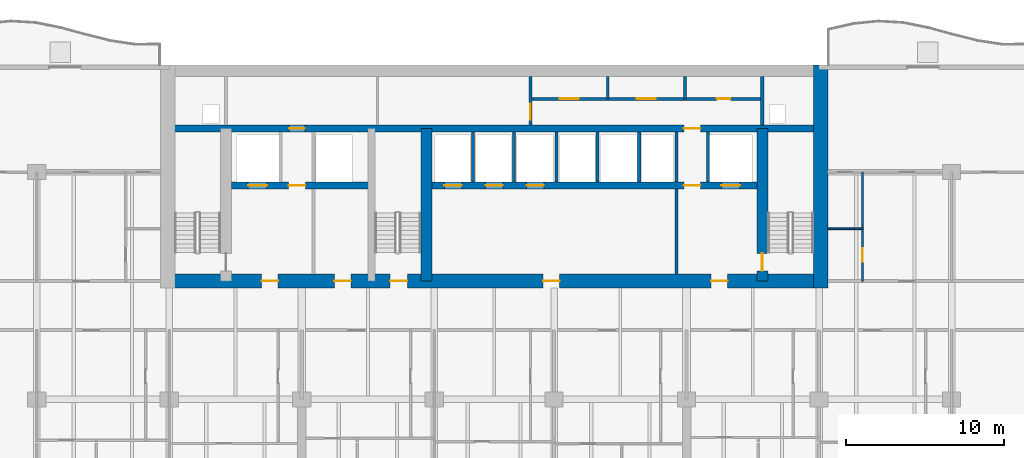
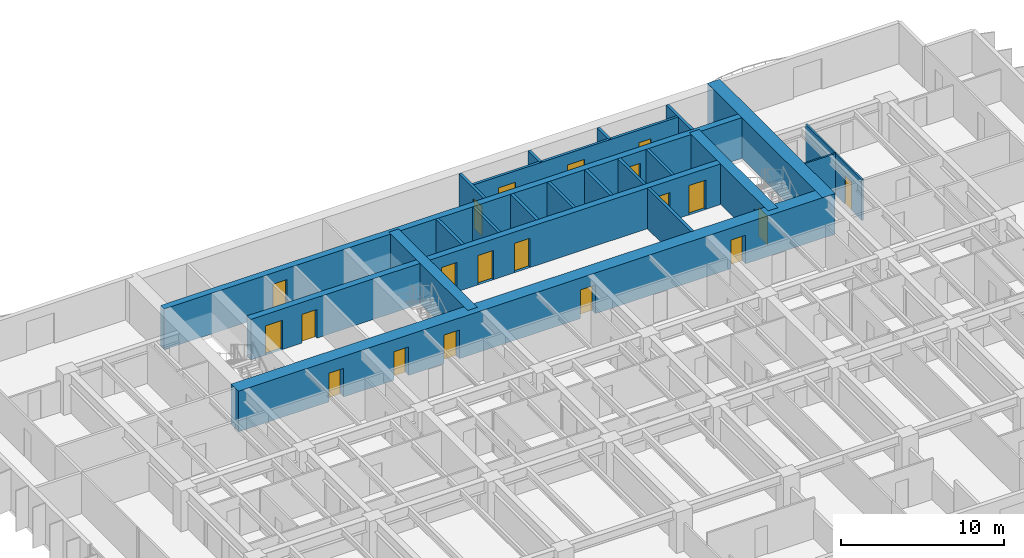
# One storey, part 11 of 18: 21 walls, 20 doors, 20 openings.
"""IFC4 building model written with IfcOpenShell, lengths in metres."""

from ifc_helpers import new_model, si_unit, direction, frame, frame_2d, origin, place, context, subcontext, project, spatial, rectangle, extrude, material, layer, layer_set, type_object, element, fill, save


model = new_model("IFC4")

# Units and contexts
model_context = context("Model", 3, precision=1e-05, world=origin(), true_north=direction((0.0, 1.0)))
body_context = subcontext(model_context, "Body", "Model", "MODEL_VIEW")
ifc_project = project(units=[si_unit("LENGTHUNIT", "METRE"), si_unit("AREAUNIT", "SQUARE_METRE"), si_unit("VOLUMEUNIT", "CUBIC_METRE"), si_unit("PLANEANGLEUNIT", "RADIAN"), si_unit("MASSUNIT", "GRAM", prefix="KILO")], contexts=[model_context])

# Site, building, storey
site_placement = place(None, origin())
site = spatial("IfcSite", under=ifc_project, at=site_placement, CompositionType="ELEMENT")
building_placement = place(site_placement, origin())
building = spatial("IfcBuilding", under=site, at=building_placement, Name="Caelmar Bay Residences", CompositionType="ELEMENT")
storey_placement = place(building_placement, frame((0.0, 0.0, 56.39990234375)))
storey = spatial("IfcBuildingStorey", under=building, at=storey_placement, Name="L14", CompositionType="ELEMENT", Elevation=56.39990234375)

# Wall, opening, door
ifc_material_1 = material(Name="Concrete f'c 55 MPa (8,000 psi)", Category="concrete")
ifc_layer_1 = layer(ifc_material_1, 0.699951171875)
ifc_layer_set_1 = layer_set([ifc_layer_1], Name="Concrete f'c 55 MPa (8,000 psi)")
wall_type_1 = type_object("IfcWallType", Name="SW-COR-700", PredefinedType="SHEAR", material=ifc_layer_set_1)
wall_1_placement = place(storey_placement, frame((55.89990234375, 36.89990234375, 0.0), z_axis=(0.0, 0.0, 1.0), x_axis=(0.0, 1.0, 0.0)))
wall_1 = element("IfcWall", 1, at=wall_1_placement, inside=storey, type_object=wall_type_1, Name="L14 Core Structural Web Wall ST2W", PredefinedType="SHEAR", context=body_context, shape_type="SweptSolid", body=[
    extrude(rectangle(XDim=9.675048828125, YDim=0.699951171875, at=frame_2d((4.83740234375, 0.0))), origin(), (0.0, 0.0, 1.0), 3.050048828125),
])
opening_1_placement = place(wall_1_placement, frame((0.64990234375, 0.0, 0.0)))
opening_1 = element("IfcOpeningElement", 2, at=opening_1_placement, cuts=wall_1, Name="Opening D-L14-111", PredefinedType="OPENING", context=body_context, shape_type="SweptSolid", body=[
    extrude(rectangle(XDim=1.10009765625, YDim=2.14990234375, at=frame_2d((0.550048828125, 1.074951171875))), frame((0.0, 0.35986328125, 0.0), z_axis=(0.0, -1.0, 0.0), x_axis=(1.0, 0.0, 0.0)), (0.0, 0.0, 1.0), 0.719970703125),
])
ifc_material_2 = material(Name="Fire-rated steel and walnut architectural door assembly", Category="steel")
ifc_layer_2 = layer(ifc_material_2, 0.050048828125)
ifc_layer_set_2 = layer_set([ifc_layer_2], Name="Fire-rated steel and walnut architectural door assembly")
door_type_1 = type_object("IfcDoorType", Name="D-STAIR-1100", OperationType="NOTDEFINED", PredefinedType="DOOR", material=ifc_layer_set_2)
door_1_placement = place(opening_1_placement, origin())
door_1 = element("IfcDoor", 3, at=door_1_placement, inside=storey, type_object=door_type_1, Name="L14 Firefighting Lobby East Door", OperationType="SINGLE_SWING_RIGHT", OverallHeight=2.14990234375, OverallWidth=1.10009765625, PredefinedType="DOOR", context=body_context, shape_type="SweptSolid", body=[
    extrude(rectangle(XDim=1.10009765625, YDim=2.14990234375, at=frame_2d((0.550048828125, 1.074951171875))), frame((0.0, 0.02490234375, 0.0), z_axis=(0.0, -1.0, 0.0), x_axis=(1.0, 0.0, 0.0)), (0.0, 0.0, 1.0), 0.050048828125),
])
fill(opening_1, door_1)

# Wall
wall_2_placement = place(storey_placement, frame((34.60009765625, 36.89990234375, 0.0), z_axis=(0.0, 0.0, 1.0), x_axis=(0.0, 1.0, 0.0)))
element("IfcWall", 4, at=wall_2_placement, inside=storey, type_object=wall_type_1, Name="L14 Core Structural Web Wall ST3E", PredefinedType="SHEAR", context=body_context, shape_type="SweptSolid", body=[
    extrude(rectangle(XDim=9.675048828125, YDim=0.699951171875, at=frame_2d((4.83740234375, 0.0))), origin(), (0.0, 0.0, 1.0), 3.050048828125),
])

# Wall, openings, doors
ifc_material_3 = material(Name="Concrete f'c 70 MPa (10,000 psi)", Category="concrete")
ifc_layer_3 = layer(ifc_material_3, 0.89990234375)
ifc_layer_set_3 = layer_set([ifc_layer_3], Name="Concrete f'c 70 MPa (10,000 psi)")
wall_type_2 = type_object("IfcWallType", Name="SW-COR-900", PredefinedType="SHEAR", material=ifc_layer_set_3)
wall_3_placement = place(storey_placement, frame((17.75, 36.89990234375, 0.0), z_axis=(0.0, 0.0, 1.0), x_axis=(1.0, 0.0, 0.0)))
wall_3 = element("IfcWall", 5, at=wall_3_placement, inside=storey, type_object=wall_type_2, Name="L14 Rear Core South Shear Wall", PredefinedType="SHEAR", context=body_context, shape_type="SweptSolid", body=[
    extrude(rectangle(XDim=42.300048828125, YDim=0.89990234375, at=frame_2d((21.14990234375, 0.0))), origin(), (0.0, 0.0, 1.0), 3.050048828125),
])
opening_2_placement = place(wall_3_placement, frame((14.550048828125, 0.0, 0.0)))
opening_2 = element("IfcOpeningElement", 6, at=opening_2_placement, cuts=wall_3, Name="Opening D-L14-106", PredefinedType="OPENING", context=body_context, shape_type="SweptSolid", body=[
    extrude(rectangle(XDim=1.10009765625, YDim=2.14990234375, at=frame_2d((0.550048828125, 1.074951171875))), frame((0.0, 0.4599609375, 0.0), z_axis=(0.0, -1.0, 0.0), x_axis=(1.0, 0.0, 0.0)), (0.0, 0.0, 1.0), 0.919921875),
])
opening_3_placement = place(wall_3_placement, frame((6.39990234375, 0.0, 0.0)))
opening_3 = element("IfcOpeningElement", 7, at=opening_3_placement, cuts=wall_3, Name="Opening D-L14-107", PredefinedType="OPENING", context=body_context, shape_type="SweptSolid", body=[
    extrude(rectangle(XDim=1.050048828125, YDim=2.14990234375, at=frame_2d((0.52490234375, 1.074951171875))), frame((0.0, 0.4599609375, 0.0), z_axis=(0.0, -1.0, 0.0), x_axis=(1.0, 0.0, 0.0)), (0.0, 0.0, 1.0), 0.919921875),
])
opening_4_placement = place(wall_3_placement, frame((34.89990234375, 0.0, 0.0)))
opening_4 = element("IfcOpeningElement", 8, at=opening_4_placement, cuts=wall_3, Name="Opening D-L14-110", PredefinedType="OPENING", context=body_context, shape_type="SweptSolid", body=[
    extrude(rectangle(XDim=1.050048828125, YDim=2.14990234375, at=frame_2d((0.52490234375, 1.074951171875))), frame((0.0, 0.4599609375, 0.0), z_axis=(0.0, -1.0, 0.0), x_axis=(1.0, 0.0, 0.0)), (0.0, 0.0, 1.0), 0.919921875),
])
opening_5_placement = place(wall_3_placement, frame((11.012451171875, 0.0, 0.0)))
opening_5 = element("IfcOpeningElement", 9, at=opening_5_placement, cuts=wall_3, Name="Opening D-L14-113", PredefinedType="OPENING", context=body_context, shape_type="SweptSolid", body=[
    extrude(rectangle(XDim=1.050048828125, YDim=2.14990234375, at=frame_2d((0.52490234375, 1.074951171875))), frame((0.0, 0.4599609375, 0.0), z_axis=(0.0, -1.0, 0.0), x_axis=(1.0, 0.0, 0.0)), (0.0, 0.0, 1.0), 0.919921875),
])
opening_6_placement = place(wall_3_placement, frame((24.25, 0.0, 0.0)))
opening_6 = element("IfcOpeningElement", 10, at=opening_6_placement, cuts=wall_3, Name="Opening D-L14-114", PredefinedType="OPENING", context=body_context, shape_type="SweptSolid", body=[
    extrude(rectangle(XDim=1.050048828125, YDim=2.14990234375, at=frame_2d((0.52490234375, 1.074951171875))), frame((0.0, 0.4599609375, 0.0), z_axis=(0.0, -1.0, 0.0), x_axis=(1.0, 0.0, 0.0)), (0.0, 0.0, 1.0), 0.919921875),
])
ifc_layer_4 = layer(ifc_material_2, 0.050048828125)
ifc_layer_set_4 = layer_set([ifc_layer_4], Name="Fire-rated steel and walnut architectural door assembly")
door_type_2 = type_object("IfcDoorType", Name="D-FSAE-1050", OperationType="NOTDEFINED", PredefinedType="DOOR", material=ifc_layer_set_4)
door_2_placement = place(opening_3_placement, origin())
door_2 = element("IfcDoor", 11, at=door_2_placement, inside=storey, type_object=door_type_2, Name="L14 Firefighting Lobby West Door", OperationType="SINGLE_SWING_RIGHT", OverallHeight=2.14990234375, OverallWidth=1.050048828125, PredefinedType="DOOR", context=body_context, shape_type="SweptSolid", body=[
    extrude(rectangle(XDim=1.050048828125, YDim=2.14990234375, at=frame_2d((0.52490234375, 1.074951171875))), frame((0.0, 0.02490234375, 0.0), z_axis=(0.0, -1.0, 0.0), x_axis=(1.0, 0.0, 0.0)), (0.0, 0.0, 1.0), 0.050048828125),
])
fill(opening_3, door_2)
door_3_placement = place(opening_4_placement, origin())
door_3 = element("IfcDoor", 12, at=door_3_placement, inside=storey, type_object=door_type_2, Name="L14 Firefighting Lobby East Door", OperationType="SINGLE_SWING_LEFT", OverallHeight=2.14990234375, OverallWidth=1.050048828125, PredefinedType="DOOR", context=body_context, shape_type="SweptSolid", body=[
    extrude(rectangle(XDim=1.050048828125, YDim=2.14990234375, at=frame_2d((0.52490234375, 1.074951171875))), frame((0.0, 0.02490234375, 0.0), z_axis=(0.0, -1.0, 0.0), x_axis=(1.0, 0.0, 0.0)), (0.0, 0.0, 1.0), 0.050048828125),
])
fill(opening_4, door_3)
door_4_placement = place(opening_5_placement, origin())
door_4 = element("IfcDoor", 13, at=door_4_placement, inside=storey, type_object=door_type_2, Name="L14 West Lift Lobby Door", OperationType="SINGLE_SWING_RIGHT", OverallHeight=2.14990234375, OverallWidth=1.050048828125, PredefinedType="DOOR", context=body_context, shape_type="SweptSolid", body=[
    extrude(rectangle(XDim=1.050048828125, YDim=2.14990234375, at=frame_2d((0.52490234375, 1.074951171875))), frame((0.0, 0.02490234375, 0.0), z_axis=(0.0, -1.0, 0.0), x_axis=(1.0, 0.0, 0.0)), (0.0, 0.0, 1.0), 0.050048828125),
])
fill(opening_5, door_4)
door_5_placement = place(opening_6_placement, origin())
door_5 = element("IfcDoor", 14, at=door_5_placement, inside=storey, type_object=door_type_2, Name="L14 Passenger Lift Lobby Door", OperationType="SINGLE_SWING_LEFT", OverallHeight=2.14990234375, OverallWidth=1.050048828125, PredefinedType="DOOR", context=body_context, shape_type="SweptSolid", body=[
    extrude(rectangle(XDim=1.050048828125, YDim=2.14990234375, at=frame_2d((0.52490234375, 1.074951171875))), frame((0.0, 0.02490234375, 0.0), z_axis=(0.0, -1.0, 0.0), x_axis=(1.0, 0.0, 0.0)), (0.0, 0.0, 1.0), 0.050048828125),
])
fill(opening_6, door_5)
door_6_placement = place(opening_2_placement, origin())
door_6 = element("IfcDoor", 15, at=door_6_placement, inside=storey, type_object=door_type_1, Name="L14 Exit Stair ST3 Door", OperationType="SINGLE_SWING_LEFT", OverallHeight=2.14990234375, OverallWidth=1.10009765625, PredefinedType="DOOR", context=body_context, shape_type="SweptSolid", body=[
    extrude(rectangle(XDim=1.10009765625, YDim=2.14990234375, at=frame_2d((0.550048828125, 1.074951171875))), frame((0.0, 0.02490234375, 0.0), z_axis=(0.0, -1.0, 0.0), x_axis=(1.0, 0.0, 0.0)), (0.0, 0.0, 1.0), 0.050048828125),
])
fill(opening_2, door_6)

# Wall
wall_4_placement = place(storey_placement, frame((59.60009765625, 36.449951171875, 0.0), z_axis=(0.0, 0.0, 1.0), x_axis=(0.0, 1.0, 0.0)))
element("IfcWall", 16, at=wall_4_placement, inside=storey, type_object=wall_type_2, Name="L14 Rear Core East Shear Wall", PredefinedType="SHEAR", context=body_context, shape_type="SweptSolid", body=[
    extrude(rectangle(XDim=14.150146484375, YDim=0.89990234375, at=frame_2d((7.0751953125, 0.0))), origin(), (0.0, 0.0, 1.0), 3.050048828125),
])

# Wall, openings, doors
ifc_layer_5 = layer(ifc_material_3, 0.449951171875)
ifc_layer_set_5 = layer_set([ifc_layer_5], Name="Concrete f'c 70 MPa (10,000 psi)")
wall_type_3 = type_object("IfcWallType", Name="SW-WEB-450", PredefinedType="SHEAR", material=ifc_layer_set_5)
wall_5_placement = place(storey_placement, frame((22.25, 42.949951171875, 0.0), z_axis=(0.0, 0.0, 1.0), x_axis=(1.0, 0.0, 0.0)))
wall_5 = element("IfcWall", 17, at=wall_5_placement, inside=storey, type_object=wall_type_3, Name="L14 Core Structural Web Wall LFR", PredefinedType="SHEAR", context=body_context, shape_type="SweptSolid", body=[
    extrude(rectangle(XDim=33.300048828125, YDim=0.449951171875, at=frame_2d((16.64990234375, 0.0))), origin(), (0.0, 0.0, 1.0), 3.050048828125),
])
opening_7_placement = place(wall_5_placement, frame((1.050048828125, 0.0, 0.0)))
opening_7 = element("IfcOpeningElement", 18, at=opening_7_placement, cuts=wall_5, Name="Opening LD2", PredefinedType="OPENING", context=body_context, shape_type="SweptSolid", body=[
    extrude(rectangle(XDim=1.199951171875, YDim=2.199951171875, at=frame_2d((0.60009765625, 1.10009765625))), frame((0.0, 0.23486328125, 0.0), z_axis=(0.0, -1.0, 0.0), x_axis=(1.0, 0.0, 0.0)), (0.0, 0.0, 1.0), 0.469970703125),
])
opening_8_placement = place(wall_5_placement, frame((31.050048828125, 0.0, 0.0)))
opening_8 = element("IfcOpeningElement", 19, at=opening_8_placement, cuts=wall_5, Name="Opening LD2", PredefinedType="OPENING", context=body_context, shape_type="SweptSolid", body=[
    extrude(rectangle(XDim=1.199951171875, YDim=2.199951171875, at=frame_2d((0.60009765625, 1.10009765625))), frame((0.0, 0.23486328125, 0.0), z_axis=(0.0, -1.0, 0.0), x_axis=(1.0, 0.0, 0.0)), (0.0, 0.0, 1.0), 0.469970703125),
])
opening_9_placement = place(wall_5_placement, frame((13.5, 0.0, 0.0)))
opening_9 = element("IfcOpeningElement", 20, at=opening_9_placement, cuts=wall_5, Name="Opening LD1", PredefinedType="OPENING", context=body_context, shape_type="SweptSolid", body=[
    extrude(rectangle(XDim=1.10009765625, YDim=2.199951171875, at=frame_2d((0.550048828125, 1.10009765625))), frame((0.0, 0.23486328125, 0.0), z_axis=(0.0, -1.0, 0.0), x_axis=(1.0, 0.0, 0.0)), (0.0, 0.0, 1.0), 0.469970703125),
])
opening_10_placement = place(wall_5_placement, frame((16.10009765625, 0.0, 0.0)))
opening_10 = element("IfcOpeningElement", 21, at=opening_10_placement, cuts=wall_5, Name="Opening LD1", PredefinedType="OPENING", context=body_context, shape_type="SweptSolid", body=[
    extrude(rectangle(XDim=1.10009765625, YDim=2.199951171875, at=frame_2d((0.550048828125, 1.10009765625))), frame((0.0, 0.23486328125, 0.0), z_axis=(0.0, -1.0, 0.0), x_axis=(1.0, 0.0, 0.0)), (0.0, 0.0, 1.0), 0.469970703125),
])
opening_11_placement = place(wall_5_placement, frame((18.699951171875, 0.0, 0.0)))
opening_11 = element("IfcOpeningElement", 22, at=opening_11_placement, cuts=wall_5, Name="Opening LD1", PredefinedType="OPENING", context=body_context, shape_type="SweptSolid", body=[
    extrude(rectangle(XDim=1.10009765625, YDim=2.199951171875, at=frame_2d((0.550048828125, 1.10009765625))), frame((0.0, 0.23486328125, 0.0), z_axis=(0.0, -1.0, 0.0), x_axis=(1.0, 0.0, 0.0)), (0.0, 0.0, 1.0), 0.469970703125),
])
opening_12_placement = place(wall_5_placement, frame((3.625, 0.0, 0.0)))
opening_12 = element("IfcOpeningElement", 23, at=opening_12_placement, cuts=wall_5, Name="Opening D-L14-109", PredefinedType="OPENING", context=body_context, shape_type="SweptSolid", body=[
    extrude(rectangle(XDim=1.050048828125, YDim=2.14990234375, at=frame_2d((0.52490234375, 1.074951171875))), frame((0.0, 0.23486328125, 0.0), z_axis=(0.0, -1.0, 0.0), x_axis=(1.0, 0.0, 0.0)), (0.0, 0.0, 1.0), 0.469970703125),
])
opening_13_placement = place(wall_5_placement, frame((28.675048828125, 0.0, 0.0)))
opening_13 = element("IfcOpeningElement", 24, at=opening_13_placement, cuts=wall_5, Name="Opening D-L14-112", PredefinedType="OPENING", context=body_context, shape_type="SweptSolid", body=[
    extrude(rectangle(XDim=1.050048828125, YDim=2.14990234375, at=frame_2d((0.52490234375, 1.074951171875))), frame((0.0, 0.23486328125, 0.0), z_axis=(0.0, -1.0, 0.0), x_axis=(1.0, 0.0, 0.0)), (0.0, 0.0, 1.0), 0.469970703125),
])
door_7_placement = place(opening_12_placement, origin())
door_7 = element("IfcDoor", 25, at=door_7_placement, inside=storey, type_object=door_type_2, Name="L14 Firefighting Lobby West Door", OperationType="SINGLE_SWING_RIGHT", OverallHeight=2.14990234375, OverallWidth=1.050048828125, PredefinedType="DOOR", context=body_context, shape_type="SweptSolid", body=[
    extrude(rectangle(XDim=1.050048828125, YDim=2.14990234375, at=frame_2d((0.52490234375, 1.074951171875))), frame((0.0, 0.02490234375, 0.0), z_axis=(0.0, -1.0, 0.0), x_axis=(1.0, 0.0, 0.0)), (0.0, 0.0, 1.0), 0.050048828125),
])
fill(opening_12, door_7)
door_8_placement = place(opening_13_placement, origin())
door_8 = element("IfcDoor", 26, at=door_8_placement, inside=storey, type_object=door_type_2, Name="L14 Firefighting Lobby East Door", OperationType="SINGLE_SWING_LEFT", OverallHeight=2.14990234375, OverallWidth=1.050048828125, PredefinedType="DOOR", context=body_context, shape_type="SweptSolid", body=[
    extrude(rectangle(XDim=1.050048828125, YDim=2.14990234375, at=frame_2d((0.52490234375, 1.074951171875))), frame((0.0, 0.02490234375, 0.0), z_axis=(0.0, -1.0, 0.0), x_axis=(1.0, 0.0, 0.0)), (0.0, 0.0, 1.0), 0.050048828125),
])
fill(opening_13, door_8)
ifc_material_4 = material(Name="Brushed bronze stainless-steel fire-rated lift landing doors", Category="steel")
ifc_layer_6 = layer(ifc_material_4, 0.050048828125)
ifc_layer_set_6 = layer_set([ifc_layer_6], Name="Brushed bronze stainless-steel fire-rated lift landing doors")
door_type_3 = type_object("IfcDoorType", Name="D-LND-1100", OperationType="DOUBLE_DOOR_SLIDING", PredefinedType="DOOR", material=ifc_layer_set_6)
door_9_placement = place(opening_9_placement, origin())
door_9 = element("IfcDoor", 27, at=door_9_placement, inside=storey, type_object=door_type_3, Name="L14 LP1 Sliding Landing Door", OperationType="DOUBLE_DOOR_SLIDING", OverallHeight=2.199951171875, OverallWidth=1.10009765625, PredefinedType="DOOR", context=body_context, shape_type="SweptSolid", body=[
    extrude(rectangle(XDim=1.10009765625, YDim=2.199951171875, at=frame_2d((0.550048828125, 1.10009765625))), frame((0.0, 0.02490234375, 0.0), z_axis=(0.0, -1.0, 0.0), x_axis=(1.0, 0.0, 0.0)), (0.0, 0.0, 1.0), 0.050048828125),
])
fill(opening_9, door_9)
door_10_placement = place(opening_10_placement, origin())
door_10 = element("IfcDoor", 28, at=door_10_placement, inside=storey, type_object=door_type_3, Name="L14 LP2 Sliding Landing Door", OperationType="DOUBLE_DOOR_SLIDING", OverallHeight=2.199951171875, OverallWidth=1.10009765625, PredefinedType="DOOR", context=body_context, shape_type="SweptSolid", body=[
    extrude(rectangle(XDim=1.10009765625, YDim=2.199951171875, at=frame_2d((0.550048828125, 1.10009765625))), frame((0.0, 0.02490234375, 0.0), z_axis=(0.0, -1.0, 0.0), x_axis=(1.0, 0.0, 0.0)), (0.0, 0.0, 1.0), 0.050048828125),
])
fill(opening_10, door_10)
door_11_placement = place(opening_11_placement, origin())
door_11 = element("IfcDoor", 29, at=door_11_placement, inside=storey, type_object=door_type_3, Name="L14 LP3 Sliding Landing Door", OperationType="DOUBLE_DOOR_SLIDING", OverallHeight=2.199951171875, OverallWidth=1.10009765625, PredefinedType="DOOR", context=body_context, shape_type="SweptSolid", body=[
    extrude(rectangle(XDim=1.10009765625, YDim=2.199951171875, at=frame_2d((0.550048828125, 1.10009765625))), frame((0.0, 0.02490234375, 0.0), z_axis=(0.0, -1.0, 0.0), x_axis=(1.0, 0.0, 0.0)), (0.0, 0.0, 1.0), 0.050048828125),
])
fill(opening_11, door_11)
ifc_material_5 = material(Name="Brushed stainless-steel FSAE sliding landing door", Category="steel")
ifc_layer_7 = layer(ifc_material_5, 0.050048828125)
ifc_layer_set_7 = layer_set([ifc_layer_7], Name="Brushed stainless-steel FSAE sliding landing door")
door_type_4 = type_object("IfcDoorType", Name="D-LND-1200", OperationType="DOUBLE_DOOR_SLIDING", PredefinedType="DOOR", material=ifc_layer_set_7)
door_12_placement = place(opening_7_placement, origin())
door_12 = element("IfcDoor", 30, at=door_12_placement, inside=storey, type_object=door_type_4, Name="L14 LF1 Sliding Landing Door", OperationType="DOUBLE_DOOR_SLIDING", OverallHeight=2.199951171875, OverallWidth=1.199951171875, PredefinedType="DOOR", context=body_context, shape_type="SweptSolid", body=[
    extrude(rectangle(XDim=1.199951171875, YDim=2.199951171875, at=frame_2d((0.60009765625, 1.10009765625))), frame((0.0, 0.02490234375, 0.0), z_axis=(0.0, -1.0, 0.0), x_axis=(1.0, 0.0, 0.0)), (0.0, 0.0, 1.0), 0.050048828125),
])
fill(opening_7, door_12)
door_13_placement = place(opening_8_placement, origin())
door_13 = element("IfcDoor", 31, at=door_13_placement, inside=storey, type_object=door_type_4, Name="L14 LF2 Sliding Landing Door", OperationType="DOUBLE_DOOR_SLIDING", OverallHeight=2.199951171875, OverallWidth=1.199951171875, PredefinedType="DOOR", context=body_context, shape_type="SweptSolid", body=[
    extrude(rectangle(XDim=1.199951171875, YDim=2.199951171875, at=frame_2d((0.60009765625, 1.10009765625))), frame((0.0, 0.02490234375, 0.0), z_axis=(0.0, -1.0, 0.0), x_axis=(1.0, 0.0, 0.0)), (0.0, 0.0, 1.0), 0.050048828125),
])
fill(opening_8, door_13)

wall_6_placement = place(storey_placement, frame((18.199951171875, 46.574951171875, 0.0), z_axis=(0.0, 0.0, 1.0), x_axis=(1.0, 0.0, 0.0)))
wall_6 = element("IfcWall", 32, at=wall_6_placement, inside=storey, type_object=wall_type_3, Name="L14 Core Structural Web Wall SRVS", PredefinedType="SHEAR", context=body_context, shape_type="SweptSolid", body=[
    extrude(rectangle(XDim=41.400146484375, YDim=0.449951171875, at=frame_2d((20.7001953125, 0.0))), origin(), (0.0, 0.0, 1.0), 3.050048828125),
])
opening_14_placement = place(wall_6_placement, frame((7.699951171875, 0.0, 0.0)))
opening_14 = element("IfcOpeningElement", 33, at=opening_14_placement, cuts=wall_6, Name="Opening D-L14-115", PredefinedType="OPENING", context=body_context, shape_type="SweptSolid", body=[
    extrude(rectangle(XDim=1.0, YDim=2.199951171875, at=frame_2d((0.5, 1.10009765625))), frame((0.0, 0.23486328125, 0.0), z_axis=(0.0, -1.0, 0.0), x_axis=(1.0, 0.0, 0.0)), (0.0, 0.0, 1.0), 0.469970703125),
])
opening_15_placement = place(wall_6_placement, frame((32.72509765625, 0.0, 0.0)))
opening_15 = element("IfcOpeningElement", 34, at=opening_15_placement, cuts=wall_6, Name="Opening D-L14-116", PredefinedType="OPENING", context=body_context, shape_type="SweptSolid", body=[
    extrude(rectangle(XDim=1.050048828125, YDim=2.14990234375, at=frame_2d((0.52490234375, 1.074951171875))), frame((0.0, 0.23486328125, 0.0), z_axis=(0.0, -1.0, 0.0), x_axis=(1.0, 0.0, 0.0)), (0.0, 0.0, 1.0), 0.469970703125),
])
door_14_placement = place(opening_15_placement, origin())
door_14 = element("IfcDoor", 35, at=door_14_placement, inside=storey, type_object=door_type_2, Name="L14 East Core Service Corridor Door", OperationType="SINGLE_SWING_LEFT", OverallHeight=2.14990234375, OverallWidth=1.050048828125, PredefinedType="DOOR", context=body_context, shape_type="SweptSolid", body=[
    extrude(rectangle(XDim=1.050048828125, YDim=2.14990234375, at=frame_2d((0.52490234375, 1.074951171875))), frame((0.0, 0.02490234375, 0.0), z_axis=(0.0, -1.0, 0.0), x_axis=(1.0, 0.0, 0.0)), (0.0, 0.0, 1.0), 0.050048828125),
])
fill(opening_15, door_14)
ifc_layer_8 = layer(ifc_material_2, 0.050048828125)
ifc_layer_set_8 = layer_set([ifc_layer_8], Name="Fire-rated steel and walnut architectural door assembly")
door_type_5 = type_object("IfcDoorType", Name="D-UNIT-1000", OperationType="NOTDEFINED", PredefinedType="DOOR", material=ifc_layer_set_8)
door_15_placement = place(opening_14_placement, origin())
door_15 = element("IfcDoor", 36, at=door_15_placement, inside=storey, type_object=door_type_5, Name="L14 Package Concierge Office Door", OperationType="SINGLE_SWING_RIGHT", OverallHeight=2.199951171875, OverallWidth=1.0, PredefinedType="DOOR", context=body_context, shape_type="SweptSolid", body=[
    extrude(rectangle(XDim=1.0, YDim=2.199951171875, at=frame_2d((0.5, 1.10009765625))), frame((0.0, 0.02490234375, 0.0), z_axis=(0.0, -1.0, 0.0), x_axis=(1.0, 0.0, 0.0)), (0.0, 0.0, 1.0), 0.050048828125),
])
fill(opening_14, door_15)

# Wall, opening, door
ifc_material_6 = material(Name="Double-stud acoustic fire-rated gypsum partition 180 mm")
ifc_layer_9 = layer(ifc_material_6, 0.179931640625)
ifc_layer_set_9 = layer_set([ifc_layer_9], Name="Double-stud acoustic fire-rated gypsum partition 180 mm")
wall_type_4 = type_object("IfcWallType", Name="W-COR-200", PredefinedType="PARTITIONING", material=ifc_layer_set_9)
wall_7_placement = place(storey_placement, frame((41.199951171875, 46.794921875, 0.0), z_axis=(0.0, 0.0, 1.0), x_axis=(0.0, 1.0, 0.0)))
wall_7 = element("IfcWall", 37, at=wall_7_placement, inside=storey, type_object=wall_type_4, Name="L14 Partition Wall V046", PredefinedType="PARTITIONING", context=body_context, shape_type="SweptSolid", body=[
    extrude(rectangle(XDim=3.06005859375, YDim=0.179931640625, at=frame_2d((1.530029296875, 0.0))), origin(), (0.0, 0.0, 1.0), 3.050048828125),
])
opening_16_placement = place(wall_7_placement, frame((0.327392578125, 0.0, 0.0)))
opening_16 = element("IfcOpeningElement", 38, at=opening_16_placement, cuts=wall_7, Name="Opening D-L14-117", PredefinedType="OPENING", context=body_context, shape_type="SweptSolid", body=[
    extrude(rectangle(XDim=1.0, YDim=2.199951171875, at=frame_2d((0.5, 1.10009765625))), frame((0.0, 0.099853515625, 0.0), z_axis=(0.0, -1.0, 0.0), x_axis=(1.0, 0.0, 0.0)), (0.0, 0.0, 1.0), 0.199951171875),
])
door_16_placement = place(opening_16_placement, origin())
door_16 = element("IfcDoor", 39, at=door_16_placement, inside=storey, type_object=door_type_5, Name="L14 Engineering Control Office Door", OperationType="SINGLE_SWING_RIGHT", OverallHeight=2.199951171875, OverallWidth=1.0, PredefinedType="DOOR", context=body_context, shape_type="SweptSolid", body=[
    extrude(rectangle(XDim=1.0, YDim=2.199951171875, at=frame_2d((0.5, 1.10009765625))), frame((0.0, 0.02490234375, 0.0), z_axis=(0.0, -1.0, 0.0), x_axis=(1.0, 0.0, 0.0)), (0.0, 0.0, 1.0), 0.050048828125),
])
fill(opening_16, door_16)

# Walls
for number, where, z_axis, x_axis, name in (
    (40, (46.10009765625, 48.449951171875, 0.0), (0.0, 0.0, 1.0), (0.0, 1.0, 0.0), "L14 Partition Wall V054"),
    (41, (51.0, 48.449951171875, 0.0), (0.0, 0.0, 1.0), (0.0, 1.0, 0.0), "L14 Partition Wall V064"),
):
    element("IfcWall", number, at=place(storey_placement, frame(where, z_axis=z_axis, x_axis=x_axis)), inside=storey, type_object=wall_type_4, Name=name, PredefinedType="PARTITIONING", context=body_context, shape_type="SweptSolid", body=[
        extrude(rectangle(XDim=1.405029296875, YDim=0.179931640625, at=frame_2d((0.70263671875, 0.0))), origin(), (0.0, 0.0, 1.0), 3.050048828125),
    ])

# Wall, openings, doors
wall_8_placement = place(storey_placement, frame((41.199951171875, 48.449951171875, 0.0), z_axis=(0.0, 0.0, 1.0), x_axis=(1.0, 0.0, 0.0)))
wall_8 = element("IfcWall", 42, at=wall_8_placement, inside=storey, type_object=wall_type_4, Name="L14 Partition Wall H128", PredefinedType="PARTITIONING", context=body_context, shape_type="SweptSolid", body=[
    extrude(rectangle(XDim=14.699951171875, YDim=0.179931640625, at=frame_2d((7.35009765625, 0.0))), origin(), (0.0, 0.0, 1.0), 3.050048828125),
])
opening_17_placement = place(wall_8_placement, frame((1.85009765625, 0.0, 0.0)))
opening_17 = element("IfcOpeningElement", 43, at=opening_17_placement, cuts=wall_8, Name="Opening D-L14-118", PredefinedType="OPENING", context=body_context, shape_type="SweptSolid", body=[
    extrude(rectangle(XDim=1.199951171875, YDim=2.199951171875, at=frame_2d((0.60009765625, 1.10009765625))), frame((0.0, 0.099853515625, 0.0), z_axis=(0.0, -1.0, 0.0), x_axis=(1.0, 0.0, 0.0)), (0.0, 0.0, 1.0), 0.199951171875),
])
opening_18_placement = place(wall_8_placement, frame((6.75, 0.0, 0.0)))
opening_18 = element("IfcOpeningElement", 44, at=opening_18_placement, cuts=wall_8, Name="Opening D-L14-119", PredefinedType="OPENING", context=body_context, shape_type="SweptSolid", body=[
    extrude(rectangle(XDim=1.199951171875, YDim=2.199951171875, at=frame_2d((0.60009765625, 1.10009765625))), frame((0.0, 0.099853515625, 0.0), z_axis=(0.0, -1.0, 0.0), x_axis=(1.0, 0.0, 0.0)), (0.0, 0.0, 1.0), 0.199951171875),
])
opening_19_placement = place(wall_8_placement, frame((11.824951171875, 0.0, 0.0)))
opening_19 = element("IfcOpeningElement", 45, at=opening_19_placement, cuts=wall_8, Name="Opening D-L14-120", PredefinedType="OPENING", context=body_context, shape_type="SweptSolid", body=[
    extrude(rectangle(XDim=0.85009765625, YDim=2.10009765625, at=frame_2d((0.425048828125, 1.050048828125))), frame((0.0, 0.099853515625, 0.0), z_axis=(0.0, -1.0, 0.0), x_axis=(1.0, 0.0, 0.0)), (0.0, 0.0, 1.0), 0.199951171875),
])
ifc_layer_10 = layer(ifc_material_2, 0.050048828125)
ifc_layer_set_10 = layer_set([ifc_layer_10], Name="Fire-rated steel and walnut architectural door assembly")
door_type_6 = type_object("IfcDoorType", Name="D-CORE-850", OperationType="NOTDEFINED", PredefinedType="DOOR", material=ifc_layer_set_10)
door_17_placement = place(opening_19_placement, origin())
door_17 = element("IfcDoor", 46, at=door_17_placement, inside=storey, type_object=door_type_6, Name="L14 Accessible Staff WC Door", OperationType="SINGLE_SWING_LEFT", OverallHeight=2.10009765625, OverallWidth=0.85009765625, PredefinedType="DOOR", context=body_context, shape_type="SweptSolid", body=[
    extrude(rectangle(XDim=0.85009765625, YDim=2.10009765625, at=frame_2d((0.425048828125, 1.050048828125))), frame((0.0, 0.02490234375, 0.0), z_axis=(0.0, -1.0, 0.0), x_axis=(1.0, 0.0, 0.0)), (0.0, 0.0, 1.0), 0.050048828125),
])
fill(opening_19, door_17)
ifc_layer_11 = layer(ifc_material_2, 0.050048828125)
ifc_layer_set_11 = layer_set([ifc_layer_11], Name="Fire-rated steel and walnut architectural door assembly")
door_type_7 = type_object("IfcDoorType", Name="D-PLANT-1200", OperationType="NOTDEFINED", PredefinedType="DOOR", material=ifc_layer_set_11)
door_18_placement = place(opening_17_placement, origin())
door_18 = element("IfcDoor", 47, at=door_18_placement, inside=storey, type_object=door_type_7, Name="L14 Electrical Closet Door", OperationType="SINGLE_SWING_LEFT", OverallHeight=2.199951171875, OverallWidth=1.199951171875, PredefinedType="DOOR", context=body_context, shape_type="SweptSolid", body=[
    extrude(rectangle(XDim=1.199951171875, YDim=2.199951171875, at=frame_2d((0.60009765625, 1.10009765625))), frame((0.0, 0.02490234375, 0.0), z_axis=(0.0, -1.0, 0.0), x_axis=(1.0, 0.0, 0.0)), (0.0, 0.0, 1.0), 0.050048828125),
])
fill(opening_17, door_18)
door_19_placement = place(opening_18_placement, origin())
door_19 = element("IfcDoor", 48, at=door_19_placement, inside=storey, type_object=door_type_7, Name="L14 Housekeeping Linen Closet Door", OperationType="SINGLE_SWING_RIGHT", OverallHeight=2.199951171875, OverallWidth=1.199951171875, PredefinedType="DOOR", context=body_context, shape_type="SweptSolid", body=[
    extrude(rectangle(XDim=1.199951171875, YDim=2.199951171875, at=frame_2d((0.60009765625, 1.10009765625))), frame((0.0, 0.02490234375, 0.0), z_axis=(0.0, -1.0, 0.0), x_axis=(1.0, 0.0, 0.0)), (0.0, 0.0, 1.0), 0.050048828125),
])
fill(opening_18, door_19)

# Walls
ifc_material_7 = material(Name="Fire-rated masonry and gypsum shaftliner assembly 200 mm", Category="masonry")
ifc_layer_12 = layer(ifc_material_7, 0.199951171875)
ifc_layer_set_12 = layer_set([ifc_layer_12], Name="Fire-rated masonry and gypsum shaftliner assembly 200 mm")
wall_type_5 = type_object("IfcWallType", Name="W-FSAE-200", PredefinedType="PARTITIONING", material=ifc_layer_set_12)
for number, where, z_axis, x_axis, name in (
    (49, (37.550048828125, 43.169921875, 0.0), (0.0, 0.0, 1.0), (0.0, 1.0, 0.0), "L14 Partition Wall V042"),
    (50, (40.14990234375, 43.169921875, 0.0), (0.0, 0.0, 1.0), (0.0, 1.0, 0.0), "L14 Partition Wall V043"),
    (51, (42.85009765625, 43.169921875, 0.0), (0.0, 0.0, 1.0), (0.0, 1.0, 0.0), "L14 Partition Wall V052"),
    (52, (45.449951171875, 43.169921875, 0.0), (0.0, 0.0, 1.0), (0.0, 1.0, 0.0), "L14 Partition Wall V053"),
    (53, (48.10009765625, 43.169921875, 0.0), (0.0, 0.0, 1.0), (0.0, 1.0, 0.0), "L14 Partition Wall V059"),
):
    element("IfcWall", number, at=place(storey_placement, frame(where, z_axis=z_axis, x_axis=x_axis)), inside=storey, type_object=wall_type_5, Name=name, PredefinedType="PARTITIONING", context=body_context, shape_type="SweptSolid", body=[
        extrude(rectangle(XDim=3.18505859375, YDim=0.199951171875, at=frame_2d((1.592529296875, 0.0))), origin(), (0.0, 0.0, 1.0), 3.050048828125),
    ])
wall_9_placement = place(storey_placement, frame((50.449951171875, 37.344970703125, 0.0), z_axis=(0.0, 0.0, 1.0), x_axis=(0.0, 1.0, 0.0)))
element("IfcWall", 54, at=wall_9_placement, inside=storey, type_object=wall_type_5, Name="L14 Partition Wall V062", PredefinedType="PARTITIONING", context=body_context, shape_type="SweptSolid", body=[
    extrude(rectangle(XDim=5.385009765625, YDim=0.199951171875, at=frame_2d((2.6923828125, 0.0))), origin(), (0.0, 0.0, 1.0), 3.050048828125),
])
for number, where, z_axis, x_axis, name in (
    (55, (50.449951171875, 43.169921875, 0.0), (0.0, 0.0, 1.0), (0.0, 1.0, 0.0), "L14 Partition Wall V063"),
    (56, (52.449951171875, 43.169921875, 0.0), (0.0, 0.0, 1.0), (0.0, 1.0, 0.0), "L14 Partition Wall V068"),
):
    element("IfcWall", number, at=place(storey_placement, frame(where, z_axis=z_axis, x_axis=x_axis)), inside=storey, type_object=wall_type_5, Name=name, PredefinedType="PARTITIONING", context=body_context, shape_type="SweptSolid", body=[
        extrude(rectangle(XDim=3.18505859375, YDim=0.199951171875, at=frame_2d((1.592529296875, 0.0))), origin(), (0.0, 0.0, 1.0), 3.050048828125),
    ])
wall_10_placement = place(storey_placement, frame((55.89990234375, 46.794921875, 0.0), z_axis=(0.0, 0.0, 1.0), x_axis=(0.0, 1.0, 0.0)))
element("IfcWall", 57, at=wall_10_placement, inside=storey, type_object=wall_type_5, Name="L14 Partition Wall V074", PredefinedType="PARTITIONING", context=body_context, shape_type="SweptSolid", body=[
    extrude(rectangle(XDim=3.06005859375, YDim=0.199951171875, at=frame_2d((1.530029296875, 0.0))), origin(), (0.0, 0.0, 1.0), 3.050048828125),
])

# Wall, opening, door
ifc_material_8 = material(Name="Acoustic metal-stud gypsum partition 120 mm")
ifc_layer_13 = layer(ifc_material_8, 0.1201171875)
ifc_layer_set_13 = layer_set([ifc_layer_13], Name="Acoustic metal-stud gypsum partition 120 mm")
wall_type_6 = type_object("IfcWallType", Name="W-PRT-120", PredefinedType="PARTITIONING", material=ifc_layer_set_13)
wall_11_placement = place(storey_placement, frame((62.25, 36.89990234375, 0.0), z_axis=(0.0, 0.0, 1.0), x_axis=(0.0, 1.0, 0.0)))
wall_11 = element("IfcWall", 58, at=wall_11_placement, inside=storey, type_object=wall_type_6, Name="L14 Partition Wall V081", PredefinedType="PARTITIONING", context=body_context, shape_type="SweptSolid", body=[
    extrude(rectangle(XDim=6.900146484375, YDim=0.1201171875, at=frame_2d((3.4501953125, 0.0))), origin(), (0.0, 0.0, 1.0), 3.050048828125),
])
opening_20_placement = place(wall_11_placement, frame((1.23095703125, 0.0, 0.0)))
opening_20 = element("IfcOpeningElement", 59, at=opening_20_placement, cuts=wall_11, Name="Opening D-L14-176", PredefinedType="OPENING", context=body_context, shape_type="SweptSolid", body=[
    extrude(rectangle(XDim=0.85009765625, YDim=2.10009765625, at=frame_2d((0.425048828125, 1.050048828125))), frame((0.0, 0.070068359375, 0.0), z_axis=(0.0, -1.0, 0.0), x_axis=(1.0, 0.0, 0.0)), (0.0, 0.0, 1.0), 0.14013671875),
])
ifc_material_9 = material(Name="Solid walnut timber interior door leaf and frame", Category="wood")
ifc_layer_14 = layer(ifc_material_9, 0.050048828125)
ifc_layer_set_14 = layer_set([ifc_layer_14], Name="Solid walnut timber interior door leaf and frame")
door_type_8 = type_object("IfcDoorType", Name="D-BATH-850", OperationType="NOTDEFINED", PredefinedType="DOOR", material=ifc_layer_set_14)
door_20_placement = place(opening_20_placement, origin())
door_20 = element("IfcDoor", 60, at=door_20_placement, inside=storey, type_object=door_type_8, Name="L14 Residence EA Walk-In Closet Door", OperationType="SINGLE_SWING_LEFT", OverallHeight=2.10009765625, OverallWidth=0.85009765625, PredefinedType="DOOR", context=body_context, shape_type="SweptSolid", body=[
    extrude(rectangle(XDim=0.85009765625, YDim=2.10009765625, at=frame_2d((0.425048828125, 1.050048828125))), frame((0.0, 0.02490234375, 0.0), z_axis=(0.0, -1.0, 0.0), x_axis=(1.0, 0.0, 0.0)), (0.0, 0.0, 1.0), 0.050048828125),
])
fill(opening_20, door_20)

# Wall
wall_12_placement = place(storey_placement, frame((60.044921875, 40.2119140625, 0.0), z_axis=(0.0, 0.0, 1.0), x_axis=(1.0, 0.0, 0.0)))
element("IfcWall", 61, at=wall_12_placement, inside=storey, type_object=wall_type_6, Name="L14 Partition Wall H125", PredefinedType="PARTITIONING", context=body_context, shape_type="SweptSolid", body=[
    extrude(rectangle(XDim=2.205078125, YDim=0.1201171875, at=frame_2d((1.1025390625, 0.0))), origin(), (0.0, 0.0, 1.0), 3.050048828125),
])

save(model, "model.ifc")
